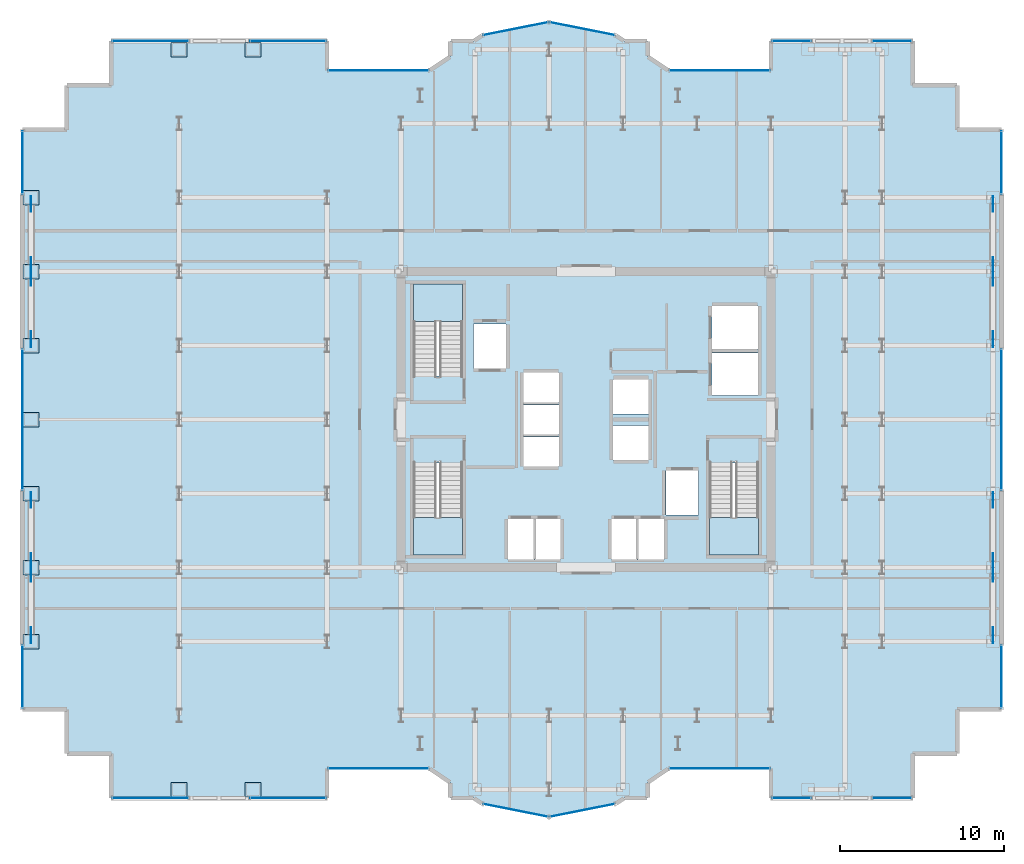
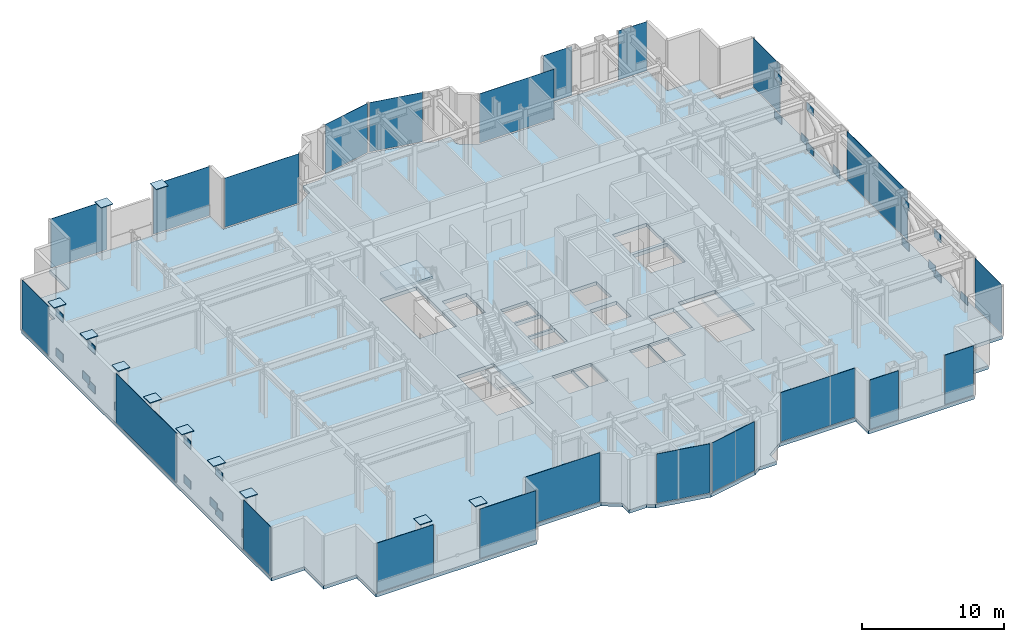
# One storey, part 18 of 26: 57 plates, 4 slabs, 25 elements without a shape of their own.
"""IFC4 building model written with IfcOpenShell, lengths in metres."""

from ifc_helpers import new_model, si_unit, direction, frame, origin, origin_2d, place, context, subcontext, project, spatial, polyline, rectangle, outline, extrude, source, transform, mapped, material, layer, layer_set, type_object, element, aggregate, save


model = new_model("IFC4")

# Units and contexts
model_context = context("Model", 3, precision=1e-05, world=origin(), true_north=direction((0.0, 1.0)))
body_context = subcontext(model_context, "Body", "Model", "MODEL_VIEW")
ifc_project = project(units=[si_unit("LENGTHUNIT", "METRE"), si_unit("AREAUNIT", "SQUARE_METRE"), si_unit("VOLUMEUNIT", "CUBIC_METRE"), si_unit("PLANEANGLEUNIT", "RADIAN"), si_unit("MASSUNIT", "GRAM", prefix="KILO")], contexts=[model_context])

# Site, building, storey
site_placement = place(None, origin())
site = spatial("IfcSite", under=ifc_project, at=site_placement, CompositionType="ELEMENT")
building_placement = place(site_placement, origin())
building = spatial("IfcBuilding", under=site, at=building_placement, Name="Nefas-Gora Pilgrimage Tower", CompositionType="ELEMENT")
storey_placement = place(building_placement, frame((0.0, 0.0, 202.0)))
storey = spatial("IfcBuildingStorey", under=building, at=storey_placement, Name="L50", CompositionType="ELEMENT", Elevation=202.0)

# Slab
ifc_material_1 = material(Name="Concrete C45/55", Category="concrete")
ifc_layer_1 = layer(ifc_material_1, 0.300048828125)
ifc_layer_set_1 = layer_set([ifc_layer_1], Name="Concrete C45/55")
slab_type_1 = type_object("IfcSlabType", Name="SLB-SPEC-300", PredefinedType="FLOOR", material=ifc_layer_set_1)
slab_1_placement = place(storey_placement, frame((0.0, 0.0, -0.300048828125)))
element("IfcSlab", 1, at=slab_1_placement, inside=storey, type_object=slab_type_1, Name="L50 Structural Floor Slab", PredefinedType="FLOOR", context=body_context, shape_type="SweptSolid", body=[
    extrude(outline(polyline([(5.01806640625, -21.219970703125), (11.25, -21.219970703125), (11.25, -23.02001953125), (19.8701171875, -23.02001953125), (19.8701171875, -20.320068359375), (22.570068359375, -20.320068359375), (22.570068359375, -17.6201171875), (25.27001953125, -17.6201171875), (25.27001953125, 17.6201171875), (22.570068359375, 17.6201171875), (22.570068359375, 20.320068359375), (19.8701171875, 20.320068359375), (19.8701171875, 23.02001953125), (11.25, 23.02001953125), (11.25, 21.219970703125), (5.01806640625, 21.219970703125), (3.75, 22.0673828125), (3.75, 23.02001953125), (2.32421875, 23.02001953125), (1.807373046875, 23.365234375), (-2.25, 24.17236328125), (-6.307373046875, 23.365234375), (-6.82421875, 23.02001953125), (-8.25, 23.02001953125), (-8.25, 22.0673828125), (-9.51806640625, 21.219970703125), (-15.75, 21.219970703125), (-15.75, 23.02001953125), (-28.8701171875, 23.02001953125), (-28.8701171875, 20.320068359375), (-31.570068359375, 20.320068359375), (-31.570068359375, 17.6201171875), (-34.27001953125, 17.6201171875), (-34.27001953125, -17.6201171875), (-31.570068359375, -17.6201171875), (-31.570068359375, -20.320068359375), (-28.8701171875, -20.320068359375), (-28.8701171875, -23.02001953125), (-15.75, -23.02001953125), (-15.75, -21.219970703125), (-9.51806640625, -21.219970703125), (-8.25, -22.0673828125), (-8.25, -23.02001953125), (-6.82421875, -23.02001953125), (-6.307373046875, -23.365234375), (-2.25, -24.17236328125), (1.807373046875, -23.365234375), (2.32421875, -23.02001953125), (3.75, -23.02001953125), (3.75, -22.0673828125), (5.01806640625, -21.219970703125)]), holes=[polyline([(-10.5, 2.639892578125), (-10.5, 8.25), (-7.5, 8.25), (-7.5, 2.639892578125), (-10.5, 2.639892578125)]), polyline([(10.5, -2.639892578125), (10.5, -8.25), (7.5, -8.25), (7.5, -2.639892578125), (10.5, -2.639892578125)]), polyline([(-7.5, -2.639892578125), (-7.5, -8.25), (-10.5, -8.25), (-10.5, -2.639892578125), (-7.5, -2.639892578125)]), polyline([(-6.85009765625, 5.800048828125), (-4.85009765625, 5.800048828125), (-4.85009765625, 3.10009765625), (-6.85009765625, 3.10009765625), (-6.85009765625, 5.800048828125)]), polyline([(4.85009765625, -3.10009765625), (6.85009765625, -3.10009765625), (6.85009765625, -5.800048828125), (4.85009765625, -5.800048828125), (4.85009765625, -3.10009765625)]), polyline([(7.64990234375, 4.050048828125), (10.449951171875, 4.050048828125), (10.449951171875, 1.449951171875), (7.64990234375, 1.449951171875), (7.64990234375, 4.050048828125)]), polyline([(7.64990234375, 6.89990234375), (10.449951171875, 6.89990234375), (10.449951171875, 4.300048828125), (7.64990234375, 4.300048828125), (7.64990234375, 6.89990234375)]), polyline([(-4.75, -6.050048828125), (-3.14990234375, -6.050048828125), (-3.14990234375, -8.5), (-4.75, -8.5), (-4.75, -6.050048828125)]), polyline([(-3.10009765625, -6.050048828125), (-1.550048828125, -6.050048828125), (-1.550048828125, -8.5), (-3.10009765625, -8.5), (-3.10009765625, -6.050048828125)]), polyline([(1.550048828125, -6.050048828125), (3.10009765625, -6.050048828125), (3.10009765625, -8.5), (1.550048828125, -8.5), (1.550048828125, -6.050048828125)]), polyline([(3.14990234375, -6.050048828125), (4.75, -6.050048828125), (4.75, -8.5), (3.14990234375, -8.5), (3.14990234375, -6.050048828125)]), polyline([(-3.800048828125, -1.050048828125), (-1.64990234375, -1.050048828125), (-1.64990234375, -2.85009765625), (-3.800048828125, -2.85009765625), (-3.800048828125, -1.050048828125)]), polyline([(-3.800048828125, 0.89990234375), (-1.64990234375, 0.89990234375), (-1.64990234375, -0.89990234375), (-3.800048828125, -0.89990234375), (-3.800048828125, 0.89990234375)]), polyline([(-3.800048828125, 2.85009765625), (-1.64990234375, 2.85009765625), (-1.64990234375, 1.050048828125), (-3.800048828125, 1.050048828125), (-3.800048828125, 2.85009765625)]), polyline([(1.64990234375, -0.35009765625), (3.800048828125, -0.35009765625), (3.800048828125, -2.449951171875), (1.64990234375, -2.449951171875), (1.64990234375, -0.35009765625)]), polyline([(1.64990234375, 2.449951171875), (3.800048828125, 2.449951171875), (3.800048828125, 0.35009765625), (1.64990234375, 0.35009765625), (1.64990234375, 2.449951171875)])]), origin(), (0.0, 0.0, 1.0), 0.300048828125),
])

# Stair, slab
stair_type = type_object("IfcStairType", Name="STR-1400-R1769", PredefinedType="HALF_TURN_STAIR", material=ifc_material_1)
stair_1_placement = place(storey_placement, origin())
stair_1 = element("IfcStair", 2, at=stair_1_placement, inside=storey, type_object=stair_type, Name="L50 Pressurised Tower Exit Stair ST-01", PredefinedType="HALF_TURN_STAIR")
ifc_material_2 = material(Name="Concrete C40/50", Category="concrete")
ifc_layer_2 = layer(ifc_material_2, 0.199951171875)
ifc_layer_set_2 = layer_set([ifc_layer_2], Name="Concrete C40/50")
slab_type_2 = type_object("IfcSlabType", Name="STR-LAND-200", PredefinedType="LANDING", material=ifc_layer_set_2)
slab_2_placement = place(storey_placement, frame((0.0, 0.0, 2.10009765625)))
slab_2 = element("IfcSlab", 3, at=slab_2_placement, type_object=slab_type_2, Name="ST-01 landing 1", PredefinedType="LANDING", context=body_context, shape_type="SweptSolid", body=[
    extrude(outline(polyline([(-7.5, 5.9599609375), (-7.5, 8.25), (-10.5, 8.25), (-10.5, 5.9599609375), (-7.5, 5.9599609375)])), origin(), (0.0, 0.0, 1.0), 0.199951171875),
])
aggregate(stair_1, [slab_2])

stair_2_placement = place(storey_placement, origin())
stair_2 = element("IfcStair", 4, at=stair_2_placement, inside=storey, type_object=stair_type, Name="L50 Pressurised Tower Exit Stair ST-02", PredefinedType="HALF_TURN_STAIR")
slab_3_placement = place(storey_placement, frame((0.0, 0.0, 2.10009765625)))
slab_3 = element("IfcSlab", 5, at=slab_3_placement, type_object=slab_type_2, Name="ST-02 landing 1", PredefinedType="LANDING", context=body_context, shape_type="SweptSolid", body=[
    extrude(outline(polyline([(7.5, -5.9599609375), (7.5, -8.25), (10.5, -8.25), (10.5, -5.9599609375), (7.5, -5.9599609375)])), origin(), (0.0, 0.0, 1.0), 0.199951171875),
])
aggregate(stair_2, [slab_3])

stair_3_placement = place(storey_placement, origin())
stair_3 = element("IfcStair", 6, at=stair_3_placement, inside=storey, type_object=stair_type, Name="L50 Pressurised Tower Exit Stair ST-03", PredefinedType="HALF_TURN_STAIR")
slab_4_placement = place(storey_placement, frame((0.0, 0.0, 2.10009765625)))
slab_4 = element("IfcSlab", 7, at=slab_4_placement, type_object=slab_type_2, Name="ST-03 landing 1", PredefinedType="LANDING", context=body_context, shape_type="SweptSolid", body=[
    extrude(outline(polyline([(-10.5, -5.9599609375), (-10.5, -8.25), (-7.5, -8.25), (-7.5, -5.9599609375), (-10.5, -5.9599609375)])), origin(), (0.0, 0.0, 1.0), 0.199951171875),
])
aggregate(stair_3, [slab_4])

# Plates
ifc_material_3 = material(Name="Steel S460", Category="steel")
ifc_layer_3 = layer(ifc_material_3, 0.0439453125)
ifc_layer_set_3 = layer_set([ifc_layer_3], Name="Steel S460")
plate_type_1 = type_object("IfcPlateType", Name="PLT-NODE-N05", PredefinedType="USERDEFINED", material=ifc_layer_set_3)
shared_shape_1 = source(origin(), body_context, "Body", "SweptSolid", [
    extrude(rectangle(XDim=0.9599609375, YDim=0.0419921875, at=origin_2d()), origin(), (0.0, 0.0, 1.0), 0.679931640625),
])
for number, where, z_axis, x_axis, name in (
    (8, (-33.75, -13.112060546875, 0.33349609375), (0.0, 0.0, 1.0), (0.0, 1.0, 0.0), "Structural Node Gusset Plate N05 (L50)"),
    (9, (-33.75, -9.387939453125, 0.01025390625), (0.0, 0.0, 1.0), (0.0, 1.0, 0.0), "Structural Node Gusset Plate N05 (L50)"),
    (10, (-33.75, -9.387939453125, 3.4365234375), (0.0, 0.0, 1.0), (0.0, 1.0, 0.0), "Structural Node Gusset Plate N05 (L50)"),
    (11, (-33.75, -8.612060546875, 0.33349609375), (0.0, 0.0, 1.0), (0.0, 1.0, 0.0), "Structural Node Gusset Plate N05 (L50)"),
    (12, (-33.75, -4.887939453125, 0.01025390625), (0.0, 0.0, 1.0), (0.0, 1.0, 0.0), "Structural Node Gusset Plate N05 (L50)"),
    (13, (-33.75, -4.887939453125, 3.4365234375), (0.0, 0.0, 1.0), (0.0, 1.0, 0.0), "Structural Node Gusset Plate N05 (L50)"),
    (14, (-33.75, 4.887939453125, 0.33349609375), (0.0, 0.0, 1.0), (0.0, 1.0, 0.0), "Structural Node Gusset Plate N05 (L50)"),
    (15, (-33.75, 8.612060546875, 0.01025390625), (0.0, 0.0, 1.0), (0.0, 1.0, 0.0), "Structural Node Gusset Plate N05 (L50)"),
    (16, (-33.75, 8.612060546875, 3.4365234375), (0.0, 0.0, 1.0), (0.0, 1.0, 0.0), "Structural Node Gusset Plate N05 (L50)"),
    (17, (-33.75, 9.387939453125, 0.33349609375), (0.0, 0.0, 1.0), (0.0, 1.0, 0.0), "Structural Node Gusset Plate N05 (L50)"),
    (18, (-33.75, 13.112060546875, 0.01025390625), (0.0, 0.0, 1.0), (0.0, 1.0, 0.0), "Structural Node Gusset Plate N05 (L50)"),
    (19, (-33.75, 13.112060546875, 3.4365234375), (0.0, 0.0, 1.0), (0.0, 1.0, 0.0), "Structural Node Gusset Plate N05 (L50)"),
    (20, (24.75, -13.112060546875, 0.33349609375), (0.0, 0.0, 1.0), (0.0, 1.0, 0.0), "Structural Node Gusset Plate N05 (L50)"),
    (21, (24.75, -9.387939453125, 0.01025390625), (0.0, 0.0, 1.0), (0.0, 1.0, 0.0), "Structural Node Gusset Plate N05 (L50)"),
    (22, (24.75, -9.387939453125, 3.4365234375), (0.0, 0.0, 1.0), (0.0, 1.0, 0.0), "Structural Node Gusset Plate N05 (L50)"),
    (23, (24.75, -8.612060546875, 0.33349609375), (0.0, 0.0, 1.0), (0.0, 1.0, 0.0), "Structural Node Gusset Plate N05 (L50)"),
    (24, (24.75, -4.887939453125, 0.01025390625), (0.0, 0.0, 1.0), (0.0, 1.0, 0.0), "Structural Node Gusset Plate N05 (L50)"),
    (25, (24.75, -4.887939453125, 3.4365234375), (0.0, 0.0, 1.0), (0.0, 1.0, 0.0), "Structural Node Gusset Plate N05 (L50)"),
    (26, (24.75, 4.887939453125, 0.33349609375), (0.0, 0.0, 1.0), (0.0, 1.0, 0.0), "Structural Node Gusset Plate N05 (L50)"),
    (27, (24.75, 8.612060546875, 0.01025390625), (0.0, 0.0, 1.0), (0.0, 1.0, 0.0), "Structural Node Gusset Plate N05 (L50)"),
    (28, (24.75, 8.612060546875, 3.4365234375), (0.0, 0.0, 1.0), (0.0, 1.0, 0.0), "Structural Node Gusset Plate N05 (L50)"),
    (29, (24.75, 9.387939453125, 0.33349609375), (0.0, 0.0, 1.0), (0.0, 1.0, 0.0), "Structural Node Gusset Plate N05 (L50)"),
    (30, (24.75, 13.112060546875, 0.01025390625), (0.0, 0.0, 1.0), (0.0, 1.0, 0.0), "Structural Node Gusset Plate N05 (L50)"),
    (31, (24.75, 13.112060546875, 3.4365234375), (0.0, 0.0, 1.0), (0.0, 1.0, 0.0), "Structural Node Gusset Plate N05 (L50)"),
):
    element("IfcPlate", number, at=place(storey_placement, frame(where, z_axis=z_axis, x_axis=x_axis)), inside=storey, type_object=plate_type_1, Name=name, ObjectType="GUSSET_PLATE", PredefinedType="USERDEFINED", context=body_context, shape_type="MappedRepresentation", body=[
        mapped(shared_shape_1, transform((0.0, 0.0, 0.0), x_axis=(1.0, 0.0, 0.0), y_axis=(0.0, 1.0, 0.0), z_axis=(0.0, 0.0, 1.0), scale=1.0)),
    ])
ifc_layer_4 = layer(ifc_material_3, 0.0400390625)
ifc_layer_set_4 = layer_set([ifc_layer_4], Name="Steel S460")
plate_type_2 = type_object("IfcPlateType", Name="PLT-ENDCAP-40", PredefinedType="SHEET", material=ifc_layer_set_4)
shared_shape_2 = source(origin(), body_context, "Body", "SweptSolid", [
    extrude(rectangle(XDim=0.97607421875, YDim=0.8798828125, at=origin_2d()), origin(), (0.0, 0.0, 1.0), 0.050048828125),
])
for number, where, z_axis, x_axis, name in (
    (32, (-33.75, -13.5, 4.5751953125), (0.0, 0.0, 1.0), (1.0, 0.0, 0.0), "L50 Setback Hollow Column Top Cap Plate 33"),
    (33, (-33.75, -9.0, 4.5751953125), (0.0, 0.0, 1.0), (1.0, 0.0, 0.0), "L50 Setback Hollow Column Top Cap Plate 34"),
    (34, (-33.75, -4.5, 4.5751953125), (0.0, 0.0, 1.0), (1.0, 0.0, 0.0), "L50 Setback Hollow Column Top Cap Plate 35"),
    (35, (-33.75, 0.0, 4.5751953125), (0.0, 0.0, 1.0), (1.0, 0.0, 0.0), "L50 Setback Hollow Column Top Cap Plate 36"),
    (36, (-33.75, 4.5, 4.5751953125), (0.0, 0.0, 1.0), (1.0, 0.0, 0.0), "L50 Setback Hollow Column Top Cap Plate 37"),
    (37, (-33.75, 9.0, 4.5751953125), (0.0, 0.0, 1.0), (1.0, 0.0, 0.0), "L50 Setback Hollow Column Top Cap Plate 38"),
    (38, (-33.75, 13.5, 4.5751953125), (0.0, 0.0, 1.0), (1.0, 0.0, 0.0), "L50 Setback Hollow Column Top Cap Plate 39"),
    (39, (-24.75, -22.5, 4.5751953125), (0.0, 0.0, 1.0), (1.0, 0.0, 0.0), "L50 Setback Hollow Column Top Cap Plate 40"),
    (40, (-24.75, 22.5, 4.5751953125), (0.0, 0.0, 1.0), (1.0, 0.0, 0.0), "L50 Setback Hollow Column Top Cap Plate 41"),
    (41, (-20.25, -22.5, 4.5751953125), (0.0, 0.0, 1.0), (1.0, 0.0, 0.0), "L50 Setback Hollow Column Top Cap Plate 42"),
    (42, (-20.25, 22.5, 4.5751953125), (0.0, 0.0, 1.0), (1.0, 0.0, 0.0), "L50 Setback Hollow Column Top Cap Plate 43"),
):
    element("IfcPlate", number, at=place(storey_placement, frame(where, z_axis=z_axis, x_axis=x_axis)), inside=storey, type_object=plate_type_2, Name=name, PredefinedType="SHEET", context=body_context, shape_type="MappedRepresentation", body=[
        mapped(shared_shape_2, transform((0.0, 0.0, 0.0), x_axis=(1.0, 0.0, 0.0), y_axis=(0.0, 1.0, 0.0), z_axis=(0.0, 0.0, 1.0), scale=1.0)),
    ])

# Curtain wall, plate
ifc_material_4 = material(Name="Dark ceramic-fritted solar-control aluminium-glass curtain wall", Category="aluminium")
ifc_layer_5 = layer(ifc_material_4, 0.219970703125)
ifc_layer_set_5 = layer_set([ifc_layer_5], Name="Dark ceramic-fritted solar-control aluminium-glass curtain wall")
curtain_wall_type_1 = type_object("IfcCurtainWallType", Name="CW-SYS-5", PredefinedType="NOTDEFINED", material=ifc_layer_set_5)
curtain_wall_1_placement = place(storey_placement, origin())
curtain_wall_1 = element("IfcCurtainWall", 43, at=curtain_wall_1_placement, inside=storey, type_object=curtain_wall_type_1, Name="L50 Unitised Curtain Wall CW5", PredefinedType="NOTDEFINED")
ifc_material_5 = material(Name="Dark ceramic-printed low-e insulated glass", Category="glass")
ifc_layer_6 = layer(ifc_material_5, 0.028076171875)
ifc_layer_set_6 = layer_set([ifc_layer_6], Name="Dark ceramic-printed low-e insulated glass")
plate_type_3 = type_object("IfcPlateType", Name="CWP-PNL-5", PredefinedType="CURTAIN_PANEL", material=ifc_layer_set_6)
shared_shape_3 = source(origin(), body_context, "Body", "SweptSolid", [
    extrude(rectangle(XDim=6.052001953125, YDim=0.028076171875, at=origin_2d()), origin(), (0.0, 0.0, 1.0), 4.239990234375),
])
plate_1_placement = place(storey_placement, frame((8.134033203125, -21.219970703125, 0.10009765625), z_axis=(0.0, 0.0, 1.0), x_axis=(1.0, 0.0, 0.0)))
plate_1 = element("IfcPlate", 44, at=plate_1_placement, type_object=plate_type_3, Name="CW5 Ceramic-Fritted Glazing Panel 1", PredefinedType="CURTAIN_PANEL", context=body_context, shape_type="MappedRepresentation", body=[
    mapped(shared_shape_3, transform((0.0, 0.0, 0.0), x_axis=(1.0, 0.0, 0.0), y_axis=(0.0, 1.0, 0.0), z_axis=(0.0, 0.0, 1.0), scale=1.0)),
])
aggregate(curtain_wall_1, [plate_1])

curtain_wall_2_placement = place(storey_placement, origin())
curtain_wall_2 = element("IfcCurtainWall", 45, at=curtain_wall_2_placement, inside=storey, type_object=curtain_wall_type_1, Name="L50 Unitised Curtain Wall CW5", PredefinedType="NOTDEFINED")
plate_2_placement = place(storey_placement, frame((8.134033203125, 21.219970703125, 0.10009765625), z_axis=(0.0, 0.0, 1.0), x_axis=(-1.0, 0.0, 0.0)))
plate_2 = element("IfcPlate", 46, at=plate_2_placement, type_object=plate_type_3, Name="CW5 Ceramic-Fritted Glazing Panel 1", PredefinedType="CURTAIN_PANEL", context=body_context, shape_type="MappedRepresentation", body=[
    mapped(shared_shape_3, transform((0.0, 0.0, 0.0), x_axis=(1.0, 0.0, 0.0), y_axis=(0.0, 1.0, 0.0), z_axis=(0.0, 0.0, 1.0), scale=1.0)),
])
aggregate(curtain_wall_2, [plate_2])

curtain_wall_3_placement = place(storey_placement, origin())
curtain_wall_3 = element("IfcCurtainWall", 47, at=curtain_wall_3_placement, inside=storey, type_object=curtain_wall_type_1, Name="L50 Unitised Curtain Wall CW5", PredefinedType="NOTDEFINED")
plate_3_placement = place(storey_placement, frame((-12.634033203125, 21.219970703125, 0.10009765625), z_axis=(0.0, 0.0, 1.0), x_axis=(-1.0, 0.0, 0.0)))
plate_3 = element("IfcPlate", 48, at=plate_3_placement, type_object=plate_type_3, Name="CW5 Ceramic-Fritted Glazing Panel 1", PredefinedType="CURTAIN_PANEL", context=body_context, shape_type="MappedRepresentation", body=[
    mapped(shared_shape_3, transform((0.0, 0.0, 0.0), x_axis=(1.0, 0.0, 0.0), y_axis=(0.0, 1.0, 0.0), z_axis=(0.0, 0.0, 1.0), scale=1.0)),
])
aggregate(curtain_wall_3, [plate_3])

curtain_wall_4_placement = place(storey_placement, origin())
curtain_wall_4 = element("IfcCurtainWall", 49, at=curtain_wall_4_placement, inside=storey, type_object=curtain_wall_type_1, Name="L50 Unitised Curtain Wall CW5", PredefinedType="NOTDEFINED")
plate_4_placement = place(storey_placement, frame((-12.634033203125, -21.219970703125, 0.10009765625), z_axis=(0.0, 0.0, 1.0), x_axis=(1.0, 0.0, 0.0)))
plate_4 = element("IfcPlate", 50, at=plate_4_placement, type_object=plate_type_3, Name="CW5 Ceramic-Fritted Glazing Panel 1", PredefinedType="CURTAIN_PANEL", context=body_context, shape_type="MappedRepresentation", body=[
    mapped(shared_shape_3, transform((0.0, 0.0, 0.0), x_axis=(1.0, 0.0, 0.0), y_axis=(0.0, 1.0, 0.0), z_axis=(0.0, 0.0, 1.0), scale=1.0)),
])
aggregate(curtain_wall_4, [plate_4])

curtain_wall_5_placement = place(storey_placement, origin())
curtain_wall_5 = element("IfcCurtainWall", 51, at=curtain_wall_5_placement, inside=storey, type_object=curtain_wall_type_1, Name="L50 Unitised Curtain Wall CW5", PredefinedType="NOTDEFINED")
shared_shape_4 = source(origin(), body_context, "Body", "SweptSolid", [
    extrude(rectangle(XDim=3.956787109375, YDim=0.028076171875, at=origin_2d()), origin(), (0.0, 0.0, 1.0), 4.239990234375),
])
plate_5_placement = place(storey_placement, frame((-0.22119140625, 23.768798828125, 0.10009765625), z_axis=(0.0, 0.0, 1.0), x_axis=(-0.980782896852, 0.195102304554, 0.0)))
plate_5 = element("IfcPlate", 52, at=plate_5_placement, type_object=plate_type_3, Name="CW5 Ceramic-Fritted Glazing Panel 1", PredefinedType="CURTAIN_PANEL", context=body_context, shape_type="MappedRepresentation", body=[
    mapped(shared_shape_4, transform((0.0, 0.0, 0.0), x_axis=(1.0, 0.0, 0.0), y_axis=(0.0, 1.0, 0.0), z_axis=(0.0, 0.0, 1.0), scale=1.0)),
])
aggregate(curtain_wall_5, [plate_5])

curtain_wall_6_placement = place(storey_placement, origin())
curtain_wall_6 = element("IfcCurtainWall", 53, at=curtain_wall_6_placement, inside=storey, type_object=curtain_wall_type_1, Name="L50 Unitised Curtain Wall CW5", PredefinedType="NOTDEFINED")
plate_6_placement = place(storey_placement, frame((-4.278564453125, 23.768798828125, 0.10009765625), z_axis=(0.0, 0.0, 1.0), x_axis=(-0.980782896852, -0.195102304554, 0.0)))
plate_6 = element("IfcPlate", 54, at=plate_6_placement, type_object=plate_type_3, Name="CW5 Ceramic-Fritted Glazing Panel 1", PredefinedType="CURTAIN_PANEL", context=body_context, shape_type="MappedRepresentation", body=[
    mapped(shared_shape_4, transform((0.0, 0.0, 0.0), x_axis=(1.0, 0.0, 0.0), y_axis=(0.0, 1.0, 0.0), z_axis=(0.0, 0.0, 1.0), scale=1.0)),
])
aggregate(curtain_wall_6, [plate_6])

curtain_wall_7_placement = place(storey_placement, origin())
curtain_wall_7 = element("IfcCurtainWall", 55, at=curtain_wall_7_placement, inside=storey, type_object=curtain_wall_type_1, Name="L50 Unitised Curtain Wall CW5", PredefinedType="NOTDEFINED")
plate_7_placement = place(storey_placement, frame((-4.278564453125, -23.768798828125, 0.10009765625), z_axis=(0.0, 0.0, 1.0), x_axis=(0.980782896852, -0.195102304554, 0.0)))
plate_7 = element("IfcPlate", 56, at=plate_7_placement, type_object=plate_type_3, Name="CW5 Ceramic-Fritted Glazing Panel 1", PredefinedType="CURTAIN_PANEL", context=body_context, shape_type="MappedRepresentation", body=[
    mapped(shared_shape_4, transform((0.0, 0.0, 0.0), x_axis=(1.0, 0.0, 0.0), y_axis=(0.0, 1.0, 0.0), z_axis=(0.0, 0.0, 1.0), scale=1.0)),
])
aggregate(curtain_wall_7, [plate_7])

curtain_wall_8_placement = place(storey_placement, origin())
curtain_wall_8 = element("IfcCurtainWall", 57, at=curtain_wall_8_placement, inside=storey, type_object=curtain_wall_type_1, Name="L50 Unitised Curtain Wall CW5", PredefinedType="NOTDEFINED")
plate_8_placement = place(storey_placement, frame((-0.221435546875, -23.768798828125, 0.10009765625), z_axis=(0.0, 0.0, 1.0), x_axis=(0.980782896852, 0.195102304554, 0.0)))
plate_8 = element("IfcPlate", 58, at=plate_8_placement, type_object=plate_type_3, Name="CW5 Ceramic-Fritted Glazing Panel 1", PredefinedType="CURTAIN_PANEL", context=body_context, shape_type="MappedRepresentation", body=[
    mapped(shared_shape_4, transform((0.0, 0.0, 0.0), x_axis=(1.0, 0.0, 0.0), y_axis=(0.0, 1.0, 0.0), z_axis=(0.0, 0.0, 1.0), scale=1.0)),
])
aggregate(curtain_wall_8, [plate_8])

ifc_layer_7 = layer(ifc_material_4, 0.219970703125)
ifc_layer_set_7 = layer_set([ifc_layer_7], Name="Dark ceramic-fritted solar-control aluminium-glass curtain wall")
curtain_wall_type_2 = type_object("IfcCurtainWallType", Name="CW-SYS-3", PredefinedType="NOTDEFINED", material=ifc_layer_set_7)
curtain_wall_9_placement = place(storey_placement, origin())
curtain_wall_9 = element("IfcCurtainWall", 59, at=curtain_wall_9_placement, inside=storey, type_object=curtain_wall_type_2, Name="L50 Unitised Curtain Wall CW3", PredefinedType="NOTDEFINED")
ifc_layer_8 = layer(ifc_material_5, 0.033935546875)
ifc_layer_set_8 = layer_set([ifc_layer_8], Name="Dark ceramic-printed low-e insulated glass")
plate_type_4 = type_object("IfcPlateType", Name="CWP-PNL-3", PredefinedType="CURTAIN_PANEL", material=ifc_layer_set_8)
shared_shape_5 = source(origin(), body_context, "Body", "SweptSolid", [
    extrude(rectangle(XDim=2.330078125, YDim=0.033935546875, at=origin_2d()), origin(), (0.0, 0.0, 1.0), 4.239990234375),
])
plate_9_placement = place(storey_placement, frame((12.5048828125, -23.02001953125, 0.10009765625), z_axis=(0.0, 0.0, 1.0), x_axis=(1.0, 0.0, 0.0)))
plate_9 = element("IfcPlate", 60, at=plate_9_placement, type_object=plate_type_4, Name="CW3 Ceramic-Fritted Glazing Panel 1", PredefinedType="CURTAIN_PANEL", context=body_context, shape_type="MappedRepresentation", body=[
    mapped(shared_shape_5, transform((0.0, 0.0, 0.0), x_axis=(1.0, 0.0, 0.0), y_axis=(0.0, 1.0, 0.0), z_axis=(0.0, 0.0, 1.0), scale=1.0)),
])
aggregate(curtain_wall_9, [plate_9])

curtain_wall_10_placement = place(storey_placement, origin())
curtain_wall_10 = element("IfcCurtainWall", 61, at=curtain_wall_10_placement, inside=storey, type_object=curtain_wall_type_2, Name="L50 Unitised Curtain Wall CW3", PredefinedType="NOTDEFINED")
plate_10_placement = place(storey_placement, frame((18.614990234375, -23.02001953125, 0.10009765625), z_axis=(0.0, 0.0, 1.0), x_axis=(1.0, 0.0, 0.0)))
plate_10 = element("IfcPlate", 62, at=plate_10_placement, type_object=plate_type_4, Name="CW3 Ceramic-Fritted Glazing Panel 1", PredefinedType="CURTAIN_PANEL", context=body_context, shape_type="MappedRepresentation", body=[
    mapped(shared_shape_5, transform((0.0, 0.0, 0.0), x_axis=(1.0, 0.0, 0.0), y_axis=(0.0, 1.0, 0.0), z_axis=(0.0, 0.0, 1.0), scale=1.0)),
])
aggregate(curtain_wall_10, [plate_10])

curtain_wall_11_placement = place(storey_placement, origin())
curtain_wall_11 = element("IfcCurtainWall", 63, at=curtain_wall_11_placement, inside=storey, type_object=curtain_wall_type_2, Name="L50 Unitised Curtain Wall CW3", PredefinedType="NOTDEFINED")
plate_11_placement = place(storey_placement, frame((18.614990234375, 23.02001953125, 0.10009765625), z_axis=(0.0, 0.0, 1.0), x_axis=(-1.0, 0.0, 0.0)))
plate_11 = element("IfcPlate", 64, at=plate_11_placement, type_object=plate_type_4, Name="CW3 Ceramic-Fritted Glazing Panel 1", PredefinedType="CURTAIN_PANEL", context=body_context, shape_type="MappedRepresentation", body=[
    mapped(shared_shape_5, transform((0.0, 0.0, 0.0), x_axis=(1.0, 0.0, 0.0), y_axis=(0.0, 1.0, 0.0), z_axis=(0.0, 0.0, 1.0), scale=1.0)),
])
aggregate(curtain_wall_11, [plate_11])

curtain_wall_12_placement = place(storey_placement, origin())
curtain_wall_12 = element("IfcCurtainWall", 65, at=curtain_wall_12_placement, inside=storey, type_object=curtain_wall_type_2, Name="L50 Unitised Curtain Wall CW3", PredefinedType="NOTDEFINED")
plate_12_placement = place(storey_placement, frame((12.5048828125, 23.02001953125, 0.10009765625), z_axis=(0.0, 0.0, 1.0), x_axis=(-1.0, 0.0, 0.0)))
plate_12 = element("IfcPlate", 66, at=plate_12_placement, type_object=plate_type_4, Name="CW3 Ceramic-Fritted Glazing Panel 1", PredefinedType="CURTAIN_PANEL", context=body_context, shape_type="MappedRepresentation", body=[
    mapped(shared_shape_5, transform((0.0, 0.0, 0.0), x_axis=(1.0, 0.0, 0.0), y_axis=(0.0, 1.0, 0.0), z_axis=(0.0, 0.0, 1.0), scale=1.0)),
])
aggregate(curtain_wall_12, [plate_12])

curtain_wall_13_placement = place(storey_placement, origin())
curtain_wall_13 = element("IfcCurtainWall", 67, at=curtain_wall_13_placement, inside=storey, type_object=curtain_wall_type_2, Name="L50 Unitised Curtain Wall CW3", PredefinedType="NOTDEFINED")
shared_shape_6 = source(origin(), body_context, "Body", "SweptSolid", [
    extrude(rectangle(XDim=3.7900390625, YDim=0.033935546875, at=origin_2d()), origin(), (0.0, 0.0, 1.0), 4.239990234375),
])
plate_13_placement = place(storey_placement, frame((25.27001953125, -15.635009765625, 0.10009765625), z_axis=(0.0, 0.0, 1.0), x_axis=(0.0, 1.0, 0.0)))
plate_13 = element("IfcPlate", 68, at=plate_13_placement, type_object=plate_type_4, Name="CW3 Ceramic-Fritted Glazing Panel 1", PredefinedType="CURTAIN_PANEL", context=body_context, shape_type="MappedRepresentation", body=[
    mapped(shared_shape_6, transform((0.0, 0.0, 0.0), x_axis=(1.0, 0.0, 0.0), y_axis=(0.0, 1.0, 0.0), z_axis=(0.0, 0.0, 1.0), scale=1.0)),
])
aggregate(curtain_wall_13, [plate_13])

curtain_wall_14_placement = place(storey_placement, origin())
curtain_wall_14 = element("IfcCurtainWall", 69, at=curtain_wall_14_placement, inside=storey, type_object=curtain_wall_type_2, Name="L50 Unitised Curtain Wall CW3", PredefinedType="NOTDEFINED")
plate_14_placement = place(storey_placement, frame((25.27001953125, 15.635009765625, 0.10009765625), z_axis=(0.0, 0.0, 1.0), x_axis=(0.0, 1.0, 0.0)))
plate_14 = element("IfcPlate", 70, at=plate_14_placement, type_object=plate_type_4, Name="CW3 Ceramic-Fritted Glazing Panel 1", PredefinedType="CURTAIN_PANEL", context=body_context, shape_type="MappedRepresentation", body=[
    mapped(shared_shape_6, transform((0.0, 0.0, 0.0), x_axis=(1.0, 0.0, 0.0), y_axis=(0.0, 1.0, 0.0), z_axis=(0.0, 0.0, 1.0), scale=1.0)),
])
aggregate(curtain_wall_14, [plate_14])

curtain_wall_15_placement = place(storey_placement, origin())
curtain_wall_15 = element("IfcCurtainWall", 71, at=curtain_wall_15_placement, inside=storey, type_object=curtain_wall_type_2, Name="L50 Unitised Curtain Wall CW3", PredefinedType="NOTDEFINED")
plate_15_placement = place(storey_placement, frame((-34.27001953125, 15.635009765625, 0.10009765625), z_axis=(0.0, 0.0, 1.0), x_axis=(0.0, -1.0, 0.0)))
plate_15 = element("IfcPlate", 72, at=plate_15_placement, type_object=plate_type_4, Name="CW3 Ceramic-Fritted Glazing Panel 1", PredefinedType="CURTAIN_PANEL", context=body_context, shape_type="MappedRepresentation", body=[
    mapped(shared_shape_6, transform((0.0, 0.0, 0.0), x_axis=(1.0, 0.0, 0.0), y_axis=(0.0, 1.0, 0.0), z_axis=(0.0, 0.0, 1.0), scale=1.0)),
])
aggregate(curtain_wall_15, [plate_15])

curtain_wall_16_placement = place(storey_placement, origin())
curtain_wall_16 = element("IfcCurtainWall", 73, at=curtain_wall_16_placement, inside=storey, type_object=curtain_wall_type_2, Name="L50 Unitised Curtain Wall CW3", PredefinedType="NOTDEFINED")
plate_16_placement = place(storey_placement, frame((-34.27001953125, -15.635009765625, 0.10009765625), z_axis=(0.0, 0.0, 1.0), x_axis=(0.0, -1.0, 0.0)))
plate_16 = element("IfcPlate", 74, at=plate_16_placement, type_object=plate_type_4, Name="CW3 Ceramic-Fritted Glazing Panel 1", PredefinedType="CURTAIN_PANEL", context=body_context, shape_type="MappedRepresentation", body=[
    mapped(shared_shape_6, transform((0.0, 0.0, 0.0), x_axis=(1.0, 0.0, 0.0), y_axis=(0.0, 1.0, 0.0), z_axis=(0.0, 0.0, 1.0), scale=1.0)),
])
aggregate(curtain_wall_16, [plate_16])

curtain_wall_17_placement = place(storey_placement, origin())
curtain_wall_17 = element("IfcCurtainWall", 75, at=curtain_wall_17_placement, inside=storey, type_object=curtain_wall_type_2, Name="L50 Unitised Curtain Wall CW3", PredefinedType="NOTDEFINED")
shared_shape_7 = source(origin(), body_context, "Body", "SweptSolid", [
    extrude(rectangle(XDim=8.52001953125, YDim=0.033935546875, at=origin_2d()), origin(), (0.0, 0.0, 1.0), 4.239990234375),
])
plate_17_placement = place(storey_placement, frame((25.27001953125, 0.0, 0.10009765625), z_axis=(0.0, 0.0, 1.0), x_axis=(0.0, 1.0, 0.0)))
plate_17 = element("IfcPlate", 76, at=plate_17_placement, type_object=plate_type_4, Name="CW3 Ceramic-Fritted Glazing Panel 1", PredefinedType="CURTAIN_PANEL", context=body_context, shape_type="MappedRepresentation", body=[
    mapped(shared_shape_7, transform((0.0, 0.0, 0.0), x_axis=(1.0, 0.0, 0.0), y_axis=(0.0, 1.0, 0.0), z_axis=(0.0, 0.0, 1.0), scale=1.0)),
])
aggregate(curtain_wall_17, [plate_17])

curtain_wall_18_placement = place(storey_placement, origin())
curtain_wall_18 = element("IfcCurtainWall", 77, at=curtain_wall_18_placement, inside=storey, type_object=curtain_wall_type_2, Name="L50 Unitised Curtain Wall CW3", PredefinedType="NOTDEFINED")
plate_18_placement = place(storey_placement, frame((-34.27001953125, 0.0, 0.10009765625), z_axis=(0.0, 0.0, 1.0), x_axis=(0.0, -1.0, 0.0)))
plate_18 = element("IfcPlate", 78, at=plate_18_placement, type_object=plate_type_4, Name="CW3 Ceramic-Fritted Glazing Panel 1", PredefinedType="CURTAIN_PANEL", context=body_context, shape_type="MappedRepresentation", body=[
    mapped(shared_shape_7, transform((0.0, 0.0, 0.0), x_axis=(1.0, 0.0, 0.0), y_axis=(0.0, 1.0, 0.0), z_axis=(0.0, 0.0, 1.0), scale=1.0)),
])
aggregate(curtain_wall_18, [plate_18])

curtain_wall_19_placement = place(storey_placement, origin())
curtain_wall_19 = element("IfcCurtainWall", 79, at=curtain_wall_19_placement, inside=storey, type_object=curtain_wall_type_2, Name="L50 Unitised Curtain Wall CW3", PredefinedType="NOTDEFINED")
shared_shape_8 = source(origin(), body_context, "Body", "SweptSolid", [
    extrude(rectangle(XDim=4.580078125, YDim=0.033935546875, at=origin_2d()), origin(), (0.0, 0.0, 1.0), 4.239990234375),
])
plate_19_placement = place(storey_placement, frame((-18.1298828125, 23.02001953125, 0.10009765625), z_axis=(0.0, 0.0, 1.0), x_axis=(-1.0, 0.0, 0.0)))
plate_19 = element("IfcPlate", 80, at=plate_19_placement, type_object=plate_type_4, Name="CW3 Ceramic-Fritted Glazing Panel 1", PredefinedType="CURTAIN_PANEL", context=body_context, shape_type="MappedRepresentation", body=[
    mapped(shared_shape_8, transform((0.0, 0.0, 0.0), x_axis=(1.0, 0.0, 0.0), y_axis=(0.0, 1.0, 0.0), z_axis=(0.0, 0.0, 1.0), scale=1.0)),
])
aggregate(curtain_wall_19, [plate_19])

curtain_wall_20_placement = place(storey_placement, origin())
curtain_wall_20 = element("IfcCurtainWall", 81, at=curtain_wall_20_placement, inside=storey, type_object=curtain_wall_type_2, Name="L50 Unitised Curtain Wall CW3", PredefinedType="NOTDEFINED")
plate_20_placement = place(storey_placement, frame((-26.489990234375, 23.02001953125, 0.10009765625), z_axis=(0.0, 0.0, 1.0), x_axis=(-1.0, 0.0, 0.0)))
plate_20 = element("IfcPlate", 82, at=plate_20_placement, type_object=plate_type_4, Name="CW3 Ceramic-Fritted Glazing Panel 1", PredefinedType="CURTAIN_PANEL", context=body_context, shape_type="MappedRepresentation", body=[
    mapped(shared_shape_8, transform((0.0, 0.0, 0.0), x_axis=(1.0, 0.0, 0.0), y_axis=(0.0, 1.0, 0.0), z_axis=(0.0, 0.0, 1.0), scale=1.0)),
])
aggregate(curtain_wall_20, [plate_20])

curtain_wall_21_placement = place(storey_placement, origin())
curtain_wall_21 = element("IfcCurtainWall", 83, at=curtain_wall_21_placement, inside=storey, type_object=curtain_wall_type_2, Name="L50 Unitised Curtain Wall CW3", PredefinedType="NOTDEFINED")
plate_21_placement = place(storey_placement, frame((-26.489990234375, -23.02001953125, 0.10009765625), z_axis=(0.0, 0.0, 1.0), x_axis=(1.0, 0.0, 0.0)))
plate_21 = element("IfcPlate", 84, at=plate_21_placement, type_object=plate_type_4, Name="CW3 Ceramic-Fritted Glazing Panel 1", PredefinedType="CURTAIN_PANEL", context=body_context, shape_type="MappedRepresentation", body=[
    mapped(shared_shape_8, transform((0.0, 0.0, 0.0), x_axis=(1.0, 0.0, 0.0), y_axis=(0.0, 1.0, 0.0), z_axis=(0.0, 0.0, 1.0), scale=1.0)),
])
aggregate(curtain_wall_21, [plate_21])

curtain_wall_22_placement = place(storey_placement, origin())
curtain_wall_22 = element("IfcCurtainWall", 85, at=curtain_wall_22_placement, inside=storey, type_object=curtain_wall_type_2, Name="L50 Unitised Curtain Wall CW3", PredefinedType="NOTDEFINED")
plate_22_placement = place(storey_placement, frame((-18.1298828125, -23.02001953125, 0.10009765625), z_axis=(0.0, 0.0, 1.0), x_axis=(1.0, 0.0, 0.0)))
plate_22 = element("IfcPlate", 86, at=plate_22_placement, type_object=plate_type_4, Name="CW3 Ceramic-Fritted Glazing Panel 1", PredefinedType="CURTAIN_PANEL", context=body_context, shape_type="MappedRepresentation", body=[
    mapped(shared_shape_8, transform((0.0, 0.0, 0.0), x_axis=(1.0, 0.0, 0.0), y_axis=(0.0, 1.0, 0.0), z_axis=(0.0, 0.0, 1.0), scale=1.0)),
])
aggregate(curtain_wall_22, [plate_22])

save(model, "model.ifc")
